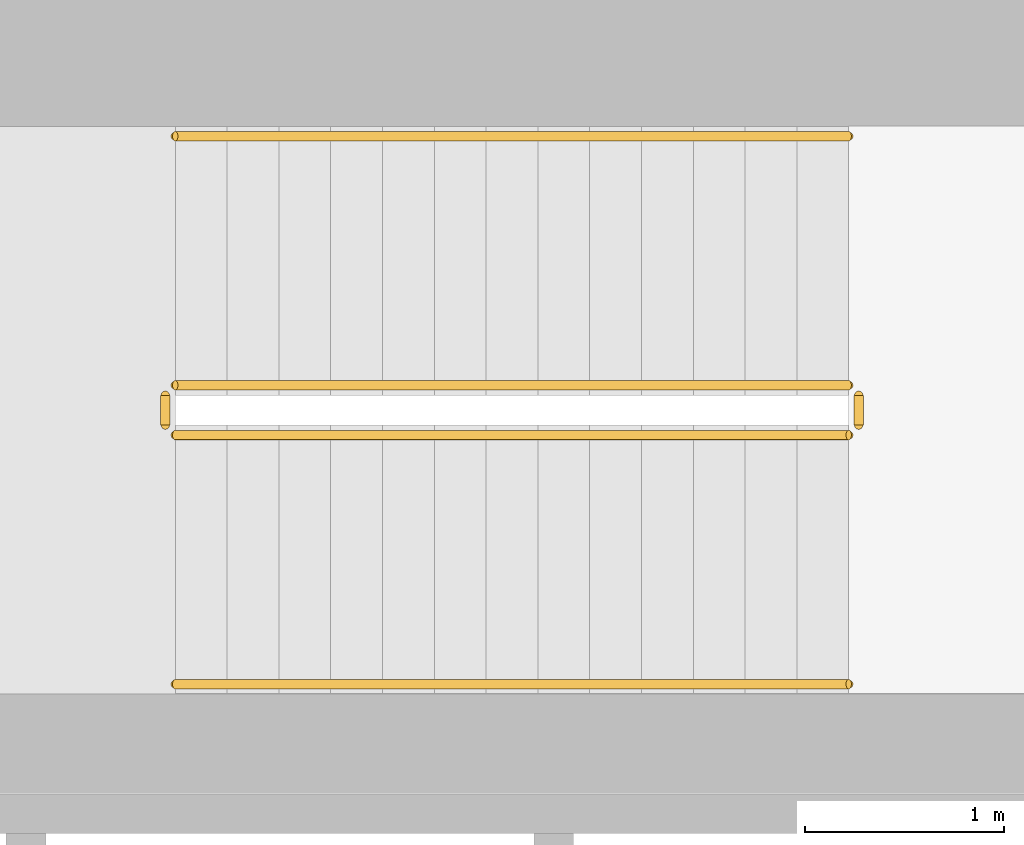
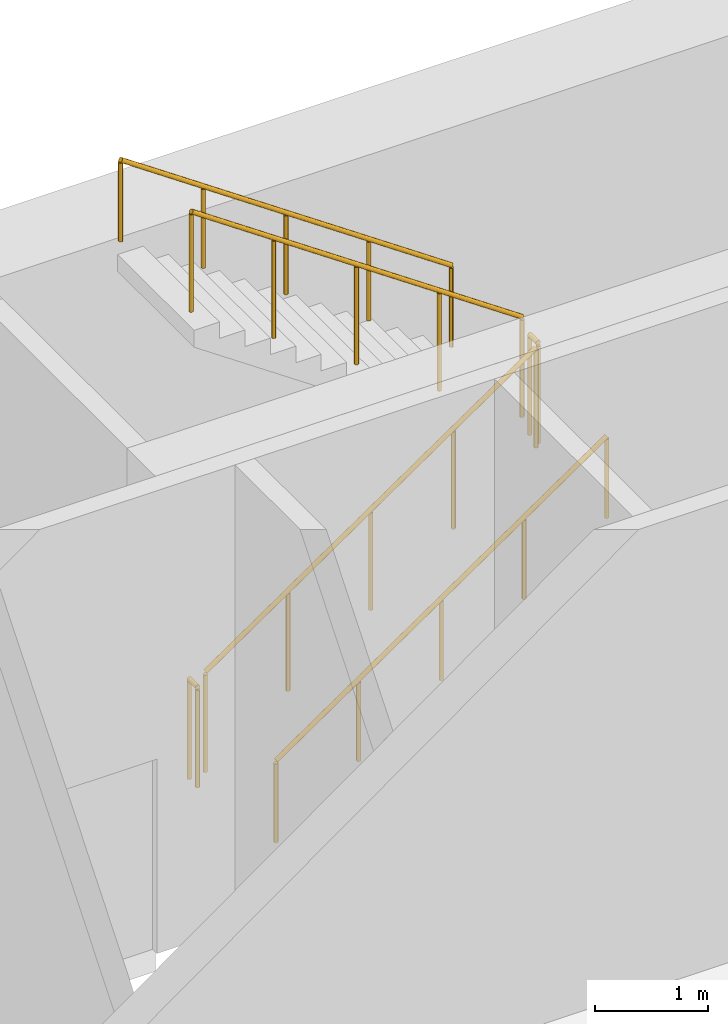
# One storey, part 19 of 19: 6 railings.
"""IFC4 building model written with IfcOpenShell, lengths in metres."""

import ifcopenshell
import ifcopenshell.guid

model = None  # the IFC model being written
_history = None  # IfcOwnerHistory: only IFC2X3 demands one
_inside = {}  # id of a spatial element -> (the spatial element, [elements in it])
_under = {}  # id of a project, library or spatial element -> (it, [spatial elements below it])
_declared = {}  # id of a project -> (the project, [libraries it declares])
_typed = {}  # id of a type object -> (the type object, [elements of that type])
_made_of = {}  # id of a material, layer set ... -> (it, [elements and type objects made of it])


def new_model(schema):
    """Start an empty IFC model of exactly this schema.

    Asked for "IFC4X3", IfcOpenShell would pick the latest addendum, in which some entities
    have other attributes; the version numbers below select the first issue.
    IFC2X3 requires an IfcOwnerHistory on every rooted entity: one is made here for all.
    """
    global model, _history
    if schema == "IFC4X3":
        model = ifcopenshell.file(schema_version=(4, 3, 0, 0))
    else:
        model = ifcopenshell.file(schema=schema)
    _inside.clear()
    _under.clear()
    _declared.clear()
    _typed.clear()
    _made_of.clear()
    _history = None
    if model.schema == "IFC2X3":
        org = make("IfcOrganization", Name="unknown")
        user = make(
            "IfcPersonAndOrganization",
            ThePerson=make("IfcPerson", FamilyName="unknown"),
            TheOrganization=org,
        )
        app = make(
            "IfcApplication",
            ApplicationDeveloper=org,
            Version="unknown",
            ApplicationFullName="unknown",
            ApplicationIdentifier="unknown",
        )
        _history = make(
            "IfcOwnerHistory",
            OwningUser=user,
            OwningApplication=app,
            ChangeAction="ADDED",
            CreationDate=0,
        )
    return model


def make(cls, **values):
    """One entity of the class cls with the attributes given. An attribute that is None is left unset."""
    return model.create_entity(
        cls, **{name: value for name, value in values.items() if value is not None}
    )


def rooted(cls, **values):
    """An entity with a GlobalId (a new one), such as an element, a storey or a relation."""
    return make(cls, GlobalId=ifcopenshell.guid.new(), OwnerHistory=_history, **values)


def si_unit(unit_type, name, prefix=None):
    """IfcSIUnit, for example si_unit("LENGTHUNIT", "METRE", prefix="MILLI")."""
    return make("IfcSIUnit", UnitType=unit_type, Prefix=prefix, Name=name)


def assignment(units):
    """IfcUnitAssignment: the units of a project."""
    return None if units is None else make("IfcUnitAssignment", Units=units)


def point(xyz):
    """IfcCartesianPoint."""
    return None if xyz is None else make("IfcCartesianPoint", Coordinates=xyz)


def direction(xyz):
    """IfcDirection."""
    return None if xyz is None else make("IfcDirection", DirectionRatios=xyz)


def frame(location, z_axis=None, x_axis=None):
    """IfcAxis2Placement3D, a coordinate frame: its origin and axes. An axis left out is left unset."""
    return make(
        "IfcAxis2Placement3D",
        Location=point(location),
        Axis=direction(z_axis),
        RefDirection=direction(x_axis),
    )


def frame_2d(location, x_axis=None):
    """IfcAxis2Placement2D, a coordinate frame in the plane: its origin and x axis."""
    return make(
        "IfcAxis2Placement2D", Location=point(location), RefDirection=direction(x_axis)
    )


def origin():
    """The frame at (0, 0, 0) with its axes left unset."""
    return frame((0.0, 0.0, 0.0))


def origin_2d():
    """The frame at (0, 0) in the plane with its x axis left unset."""
    return frame_2d((0.0, 0.0))


def place(relative_to, where):
    """IfcLocalPlacement: puts the frame where relative to a parent placement (None: the world)."""
    return make(
        "IfcLocalPlacement", PlacementRelTo=relative_to, RelativePlacement=where
    )


def context(
    kind, dimensions, precision=None, world=None, true_north=None, identifier=None
):
    """IfcGeometricRepresentationContext, for example the 3D "Model" context."""
    return make(
        "IfcGeometricRepresentationContext",
        ContextIdentifier=identifier,
        ContextType=kind,
        CoordinateSpaceDimension=dimensions,
        Precision=precision,
        WorldCoordinateSystem=world,
        TrueNorth=true_north,
    )


def subcontext(parent, identifier, kind, view, scale=None):
    """IfcGeometricRepresentationSubContext, for example "Body" below "Model"."""
    return make(
        "IfcGeometricRepresentationSubContext",
        ContextIdentifier=identifier,
        ContextType=kind,
        ParentContext=parent,
        TargetScale=scale,
        TargetView=view,
    )


def project(units=None, contexts=None):
    """IfcProject with its units and contexts."""
    return rooted(
        "IfcProject",
        Name="project",
        RepresentationContexts=contexts,
        UnitsInContext=assignment(units),
    )


def spatial(cls, under=None, at=None, **own):
    """A site, building, storey or space (cls), placed at a placement, below another one or the project."""
    s = rooted(cls, ObjectPlacement=at, **own)
    if under is not None:
        _under.setdefault(under.id(), (under, []))[1].append(s)
    return s


def profile(cls, at=None, kind="AREA", **sizes):
    """A parametric profile (cls). Its sizes go by their IFC names, for example OverallWidth=200.0."""
    return make(cls, ProfileType=kind, Position=at, **sizes)


def circle(**sizes):
    """IfcCircleProfileDef."""
    return profile("IfcCircleProfileDef", **sizes)


def extrude(swept, where, along, depth):
    """IfcExtrudedAreaSolid: the profile swept, set in the frame where, extruded along a direction by depth."""
    return make(
        "IfcExtrudedAreaSolid",
        SweptArea=swept,
        Position=where,
        ExtrudedDirection=direction(along),
        Depth=depth,
    )


def shape(context_of_items, identifier, shape_type, items):
    """IfcShapeRepresentation: the items that make up one representation, for example the "Body"."""
    return make(
        "IfcShapeRepresentation",
        ContextOfItems=context_of_items,
        RepresentationIdentifier=identifier,
        RepresentationType=shape_type,
        Items=items,
    )


def material(Name=None, Category=None):
    """IfcMaterial."""
    return make("IfcMaterial", Name=Name, Category=Category)


def made_of(thing, what):
    """Note that an element or type object is made of a material, layer set ...; save() writes the relation."""
    if what is not None:
        _made_of.setdefault(what.id(), (what, []))[1].append(thing)
    return thing


def type_object(cls, material=None, **own):
    """A type object (cls), such as IfcWallType, which elements share."""
    return made_of(rooted(cls, **own), material)


def element(
    cls,
    number,
    at=None,
    inside=None,
    cuts=None,
    type_object=None,
    material=None,
    context=None,
    identifier="Body",
    shape_type=None,
    held_by="IfcProductDefinitionShape",
    body=None,
    shapes=None,
    **own,
):
    """One element of the class cls, such as IfcWall. Its Tag is "e" and its number.

    at: its placement. inside: the storey or other place that contains it. cuts: it is an
    opening in that element (IfcRelVoidsElement). A single representation is given by context,
    identifier, shape_type and body (its items); several are given by shapes. held_by: the class
    of the entity that holds the representations. save() writes the other relations.
    """
    e = rooted(cls, Tag="e%d" % number, ObjectPlacement=at, **own)
    if body is not None:
        shapes = [shape(context, identifier, shape_type, body)]
    if shapes is not None:
        e.Representation = make(held_by, Representations=shapes)
    if inside is not None:
        _inside.setdefault(inside.id(), (inside, []))[1].append(e)
    if cuts is not None:
        rooted(
            "IfcRelVoidsElement", RelatingBuildingElement=cuts, RelatedOpeningElement=e
        )
    if type_object is not None:
        _typed.setdefault(type_object.id(), (type_object, []))[1].append(e)
    return made_of(e, material)


def aggregate(whole, parts):
    """IfcRelAggregates: a whole, such as a stair, and the parts it consists of."""
    return rooted("IfcRelAggregates", RelatingObject=whole, RelatedObjects=parts)


def save(model, path):
    """Write the relations noted so far, then the file.

    IfcRelAggregates (storeys below a building ...), IfcRelContainedInSpatialStructure (elements
    in a storey), IfcRelDefinesByType, IfcRelAssociatesMaterial and IfcRelDeclares: one each for
    every whole, place, type object, material and project.
    """
    for whole, parts in _under.values():
        aggregate(whole, parts)
    for where, things in _inside.values():
        rooted(
            "IfcRelContainedInSpatialStructure",
            RelatedElements=things,
            RelatingStructure=where,
        )
    for kind, things in _typed.values():
        rooted("IfcRelDefinesByType", RelatedObjects=things, RelatingType=kind)
    for what, things in _made_of.values():
        rooted("IfcRelAssociatesMaterial", RelatedObjects=things, RelatingMaterial=what)
    for by, libraries in _declared.values():
        rooted("IfcRelDeclares", RelatingContext=by, RelatedDefinitions=libraries)
    model.write(path)


model = new_model("IFC4")

# Units and contexts
model_context = context("Model", 3, precision=1e-05, world=origin(), true_north=direction((0.0, 1.0)))
body_context = subcontext(model_context, "Body", "Model", "MODEL_VIEW")
ifc_project = project(units=[si_unit("LENGTHUNIT", "METRE"), si_unit("AREAUNIT", "SQUARE_METRE"), si_unit("VOLUMEUNIT", "CUBIC_METRE"), si_unit("PLANEANGLEUNIT", "RADIAN"), si_unit("MASSUNIT", "GRAM", prefix="KILO")], contexts=[model_context])

# Site, building, storey
site_placement = place(None, origin())
site = spatial("IfcSite", under=ifc_project, at=site_placement, CompositionType="ELEMENT")
building_placement = place(site_placement, origin())
building = spatial("IfcBuilding", under=site, at=building_placement, Name="White Candle Pilgrim Tower", CompositionType="ELEMENT")
storey_placement = place(building_placement, frame((0.0, 0.0, 29.0)))
storey = spatial("IfcBuildingStorey", under=building, at=storey_placement, Name="L04", CompositionType="ELEMENT", Elevation=29.0)

# Railings
ifc_material = material(Name="Stainless steel", Category="steel")
railing_type_1 = type_object("IfcRailingType", Name="Stair guard stainless steel 1100 mm", PredefinedType="GUARDRAIL", material=ifc_material)
railing_1_placement = place(storey_placement, frame((69.39990234375, 85.550048828125, 0.178466796875)))
element("IfcRailing", 1, at=railing_1_placement, inside=storey, type_object=railing_type_1, Name="L04 ST3 stair guard 1", PredefinedType="GUARDRAIL", context=body_context, shape_type="SweptSolid", body=[
    extrude(circle(Radius=0.02392578125, at=origin_2d()), frame((0.0, 0.0, 1.076171875), z_axis=(0.824304150675, 0.0, 0.566147213346), x_axis=(0.0, 1.0, 0.0)), (0.0, 0.0, 1.0), 4.1005859375),
    extrude(circle(Radius=0.02099609375, at=origin_2d()), origin(), (0.0, 0.0, 1.0), 1.052001953125),
    extrude(circle(Radius=0.02099609375, at=origin_2d()), frame((0.844970703125, 0.0, 0.580322265625)), (0.0, 0.0, 1.0), 1.052001953125),
    extrude(circle(Radius=0.02099609375, at=origin_2d()), frame((1.68994140625, 0.0, 1.16064453125)), (0.0, 0.0, 1.0), 1.052001953125),
    extrude(circle(Radius=0.02099609375, at=origin_2d()), frame((2.53515625, 0.0, 1.7412109375)), (0.0, 0.0, 1.0), 1.052001953125),
    extrude(circle(Radius=0.02099609375, at=origin_2d()), frame((3.380126953125, 0.0, 2.321533203125)), (0.0, 0.0, 1.0), 1.052001953125),
])
railing_2_placement = place(storey_placement, frame((72.830078125, 85.60009765625, 2.5)))
element("IfcRailing", 2, at=railing_2_placement, inside=storey, type_object=railing_type_1, Name="L04 ST3 stair guard 2", PredefinedType="GUARDRAIL", context=body_context, shape_type="SweptSolid", body=[
    extrude(circle(Radius=0.02392578125, at=origin_2d()), frame((0.0, 0.0, 1.076171875), z_axis=(0.0, 1.0, 0.0), x_axis=(-1.0, 0.0, 0.0)), (0.0, 0.0, 1.0), 0.14990234375),
    extrude(circle(Radius=0.02099609375, at=origin_2d()), origin(), (0.0, 0.0, 1.0), 1.052001953125),
    extrude(circle(Radius=0.02099609375, at=origin_2d()), frame((0.0, 0.14990234375, 0.0)), (0.0, 0.0, 1.0), 1.052001953125),
])
railing_3_placement = place(storey_placement, frame((72.780029296875, 85.800048828125, 2.678466796875)))
element("IfcRailing", 3, at=railing_3_placement, inside=storey, type_object=railing_type_1, Name="L04 ST3 stair guard 3", PredefinedType="GUARDRAIL", context=body_context, shape_type="SweptSolid", body=[
    extrude(circle(Radius=0.02392578125, at=origin_2d()), frame((0.0, 0.0, 1.076171875), z_axis=(-0.824304150675, 0.0, 0.566147213346), x_axis=(0.0, -1.0, 0.0)), (0.0, 0.0, 1.0), 4.1005859375),
    extrude(circle(Radius=0.02099609375, at=origin_2d()), origin(), (0.0, 0.0, 1.0), 1.052001953125),
    extrude(circle(Radius=0.02099609375, at=origin_2d()), frame((-0.844970703125, 0.0, 0.580322265625)), (0.0, 0.0, 1.0), 1.052001953125),
    extrude(circle(Radius=0.02099609375, at=origin_2d()), frame((-1.68994140625, 0.0, 1.16064453125)), (0.0, 0.0, 1.0), 1.052001953125),
    extrude(circle(Radius=0.02099609375, at=origin_2d()), frame((-2.53515625, 0.0, 1.7412109375)), (0.0, 0.0, 1.0), 1.052001953125),
    extrude(circle(Radius=0.02099609375, at=origin_2d()), frame((-3.380126953125, 0.0, 2.321533203125)), (0.0, 0.0, 1.0), 1.052001953125),
])
railing_4_placement = place(storey_placement, frame((69.35009765625, 85.60009765625, 0.0)))
element("IfcRailing", 4, at=railing_4_placement, inside=storey, type_object=railing_type_1, Name="L04 ST3 stair guard 4", PredefinedType="GUARDRAIL", context=body_context, shape_type="SweptSolid", body=[
    extrude(circle(Radius=0.02392578125, at=origin_2d()), frame((0.0, 0.0, 1.076171875), z_axis=(0.0, 1.0, 0.0), x_axis=(-1.0, 0.0, 0.0)), (0.0, 0.0, 1.0), 0.14990234375),
    extrude(circle(Radius=0.02099609375, at=origin_2d()), origin(), (0.0, 0.0, 1.0), 1.052001953125),
    extrude(circle(Radius=0.02099609375, at=origin_2d()), frame((0.0, 0.14990234375, 0.0)), (0.0, 0.0, 1.0), 1.052001953125),
])
railing_type_2 = type_object("IfcRailingType", Name="Stair handrail stainless steel", PredefinedType="HANDRAIL", material=ifc_material)
railing_5_placement = place(storey_placement, frame((69.39990234375, 84.300048828125, 0.178466796875)))
element("IfcRailing", 5, at=railing_5_placement, inside=storey, type_object=railing_type_2, Name="L04 ST3 stair handrail 1", PredefinedType="HANDRAIL", context=body_context, shape_type="SweptSolid", body=[
    extrude(circle(Radius=0.02392578125, at=origin_2d()), frame((0.0, 0.0, 0.8759765625), z_axis=(0.824304150675, 0.0, 0.566147213346), x_axis=(0.0, 1.0, 0.0)), (0.0, 0.0, 1.0), 4.1005859375),
    extrude(circle(Radius=0.02099609375, at=origin_2d()), origin(), (0.0, 0.0, 1.0), 0.851806640625),
    extrude(circle(Radius=0.02099609375, at=origin_2d()), frame((0.844970703125, 0.0, 0.580322265625)), (0.0, 0.0, 1.0), 0.851806640625),
    extrude(circle(Radius=0.02099609375, at=origin_2d()), frame((1.68994140625, 0.0, 1.16064453125)), (0.0, 0.0, 1.0), 0.851806640625),
    extrude(circle(Radius=0.02099609375, at=origin_2d()), frame((2.53515625, 0.0, 1.7412109375)), (0.0, 0.0, 1.0), 0.851806640625),
    extrude(circle(Radius=0.02099609375, at=origin_2d()), frame((3.380126953125, 0.0, 2.321533203125)), (0.0, 0.0, 1.0), 0.851806640625),
])
railing_6_placement = place(storey_placement, frame((72.780029296875, 87.050048828125, 2.678466796875)))
element("IfcRailing", 6, at=railing_6_placement, inside=storey, type_object=railing_type_2, Name="L04 ST3 stair handrail 2", PredefinedType="HANDRAIL", context=body_context, shape_type="SweptSolid", body=[
    extrude(circle(Radius=0.02392578125, at=origin_2d()), frame((0.0, 0.0, 0.8759765625), z_axis=(-0.824304150675, 0.0, 0.566147213346), x_axis=(0.0, -1.0, 0.0)), (0.0, 0.0, 1.0), 4.1005859375),
    extrude(circle(Radius=0.02099609375, at=origin_2d()), origin(), (0.0, 0.0, 1.0), 0.851806640625),
    extrude(circle(Radius=0.02099609375, at=origin_2d()), frame((-0.844970703125, 0.0, 0.580322265625)), (0.0, 0.0, 1.0), 0.851806640625),
    extrude(circle(Radius=0.02099609375, at=origin_2d()), frame((-1.68994140625, 0.0, 1.16064453125)), (0.0, 0.0, 1.0), 0.851806640625),
    extrude(circle(Radius=0.02099609375, at=origin_2d()), frame((-2.53515625, 0.0, 1.7412109375)), (0.0, 0.0, 1.0), 0.851806640625),
    extrude(circle(Radius=0.02099609375, at=origin_2d()), frame((-3.380126953125, 0.0, 2.321533203125)), (0.0, 0.0, 1.0), 0.851806640625),
])

save(model, "model.ifc")
